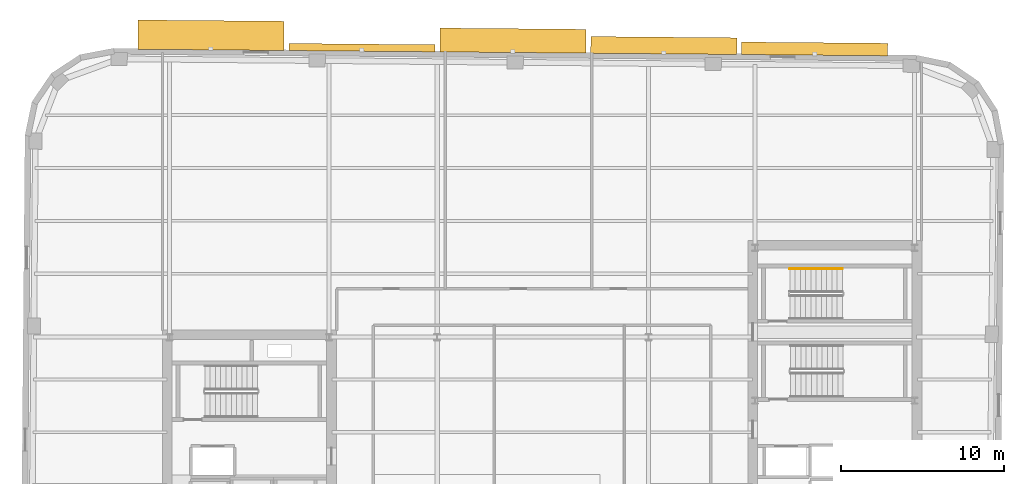
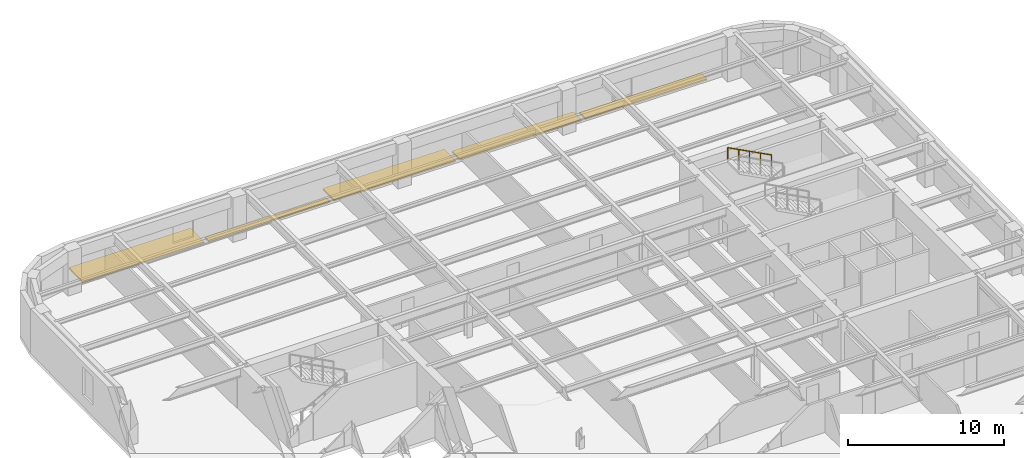
# One storey, part 11 of 11: 5 shading devices, 1 railing.
"""IFC4 building model written with IfcOpenShell, lengths in metres."""

from ifc_helpers import new_model, si_unit, direction, frame, origin, origin_2d, place, context, subcontext, project, spatial, rectangle, circle, extrude, material, type_object, element, save


model = new_model("IFC4")

# Units and contexts
model_context = context("Model", 3, precision=1e-05, world=origin(), true_north=direction((0.0, 1.0)))
body_context = subcontext(model_context, "Body", "Model", "MODEL_VIEW")
ifc_project = project(units=[si_unit("LENGTHUNIT", "METRE"), si_unit("AREAUNIT", "SQUARE_METRE"), si_unit("VOLUMEUNIT", "CUBIC_METRE"), si_unit("PLANEANGLEUNIT", "RADIAN"), si_unit("MASSUNIT", "GRAM", prefix="KILO")], contexts=[model_context])

# Site, building, storey
site_placement = place(None, origin())
site = spatial("IfcSite", under=ifc_project, at=site_placement, CompositionType="ELEMENT")
building_placement = place(site_placement, origin())
building = spatial("IfcBuilding", under=site, at=building_placement, Name="Kolvaren Arena Tower", CompositionType="ELEMENT")
storey_placement = place(building_placement, frame((0.0, 0.0, 195.949951171875)))
storey = spatial("IfcBuildingStorey", under=building, at=storey_placement, Name="L47", CompositionType="ELEMENT", Elevation=195.949951171875)

# Railing
ifc_material_1 = material(Name="Brushed stainless steel handrail", Category="steel")
railing_type = type_object("IfcRailingType", Name="HRAIL-900", PredefinedType="HANDRAIL", material=ifc_material_1)
railing_placement = place(storey_placement, frame((55.919921875, 38.050048828125, 2.04541015625)))
element("IfcRailing", 1, at=railing_placement, inside=storey, type_object=railing_type, Name="L47 ST-E2 stair handrail 2", PredefinedType="HANDRAIL", context=body_context, shape_type="SweptSolid", body=[
    extrude(circle(Radius=0.02392578125, at=origin_2d()), frame((0.0, 0.0, 0.8759765625), z_axis=(-0.884993431791, 0.0, 0.465603506952), x_axis=(0.0, -1.0, 0.0)), (0.0, 0.0, 1.0), 3.6611328125),
    extrude(circle(Radius=0.02099609375, at=origin_2d()), origin(), (0.0, 0.0, 1.0), 0.851806640625),
    extrude(circle(Radius=0.02099609375, at=origin_2d()), frame((-0.81005859375, 0.0, 0.42626953125)), (0.0, 0.0, 1.0), 0.851806640625),
    extrude(circle(Radius=0.02099609375, at=origin_2d()), frame((-1.6201171875, 0.0, 0.852294921875)), (0.0, 0.0, 1.0), 0.851806640625),
    extrude(circle(Radius=0.02099609375, at=origin_2d()), frame((-2.429931640625, 0.0, 1.2783203125)), (0.0, 0.0, 1.0), 0.851806640625),
    extrude(circle(Radius=0.02099609375, at=origin_2d()), frame((-3.239990234375, 0.0, 1.70458984375)), (0.0, 0.0, 1.0), 0.851806640625),
])

# Shading devices
ifc_material_2 = material(Name="Architectural precast GFRC and anodised aluminium sunshade", Category="concrete")
shading_device_type_1 = type_object("IfcShadingDeviceType", Name="SHAD-SINE-A", PredefinedType="USERDEFINED", material=ifc_material_2)
shading_device_1_placement = place(storey_placement, frame((26.370849609375, 51.650634765625, -0.139892578125), z_axis=(0.0, 0.0, 1.0), x_axis=(0.999961923064, -0.008726535498, 0.0)))
element("IfcShadingDevice", 2, at=shading_device_1_placement, inside=storey, type_object=shading_device_type_1, Name="Sinusoidal Slab-Edge Sunshade Louvre (L47)", ObjectType="LOUVRE", PredefinedType="USERDEFINED", context=body_context, shape_type="SweptSolid", body=[
    extrude(rectangle(XDim=8.97998046875, YDim=0.438232421875, at=origin_2d()), origin(), (0.0, 0.0, 1.0), 0.1201171875),
])
shading_device_2_placement = place(storey_placement, frame((44.9326171875, 51.78271484375, -0.139892578125), z_axis=(0.0, 0.0, 1.0), x_axis=(0.999961923064, -0.008726535498, 0.0)))
element("IfcShadingDevice", 3, at=shading_device_2_placement, inside=storey, type_object=shading_device_type_1, Name="Sinusoidal Slab-Edge Sunshade Louvre (L47)", ObjectType="LOUVRE", PredefinedType="USERDEFINED", context=body_context, shape_type="SweptSolid", body=[
    extrude(rectangle(XDim=8.97998046875, YDim=1.026611328125, at=origin_2d()), origin(), (0.0, 0.0, 1.0), 0.1201171875),
])
shading_device_3_placement = place(storey_placement, frame((54.211181640625, 51.572998046875, -0.139892578125), z_axis=(0.0, 0.0, 1.0), x_axis=(0.999961923064, -0.008726535498, 0.0)))
element("IfcShadingDevice", 4, at=shading_device_3_placement, inside=storey, type_object=shading_device_type_1, Name="Sinusoidal Slab-Edge Sunshade Louvre (L47)", ObjectType="LOUVRE", PredefinedType="USERDEFINED", context=body_context, shape_type="SweptSolid", body=[
    extrude(rectangle(XDim=8.97998046875, YDim=0.768798828125, at=origin_2d()), origin(), (0.0, 0.0, 1.0), 0.1201171875),
])
shading_device_type_2 = type_object("IfcShadingDeviceType", Name="SHAD-SINE-B", PredefinedType="JALOUSIE", material=ifc_material_2)
shading_device_4_placement = place(storey_placement, frame((17.09716796875, 52.412353515625, -0.139892578125), z_axis=(0.0, 0.0, 1.0), x_axis=(0.999961923064, -0.008726535498, 0.0)))
element("IfcShadingDevice", 5, at=shading_device_4_placement, inside=storey, type_object=shading_device_type_2, Name="Sinusoidal Slab-Edge Sunshade Louvre (L47)", PredefinedType="JALOUSIE", context=body_context, shape_type="SweptSolid", body=[
    extrude(rectangle(XDim=8.97998046875, YDim=1.800048828125, at=origin_2d()), origin(), (0.0, 0.0, 1.0), 0.1201171875),
])
shading_device_5_placement = place(storey_placement, frame((35.65478515625, 52.08349609375, -0.139892578125), z_axis=(0.0, 0.0, 1.0), x_axis=(0.999961923064, -0.008726535498, 0.0)))
element("IfcShadingDevice", 6, at=shading_device_5_placement, inside=storey, type_object=shading_device_type_2, Name="Sinusoidal Slab-Edge Sunshade Louvre (L47)", PredefinedType="JALOUSIE", context=body_context, shape_type="SweptSolid", body=[
    extrude(rectangle(XDim=8.97998046875, YDim=1.4658203125, at=origin_2d()), origin(), (0.0, 0.0, 1.0), 0.1201171875),
])

save(model, "model.ifc")
